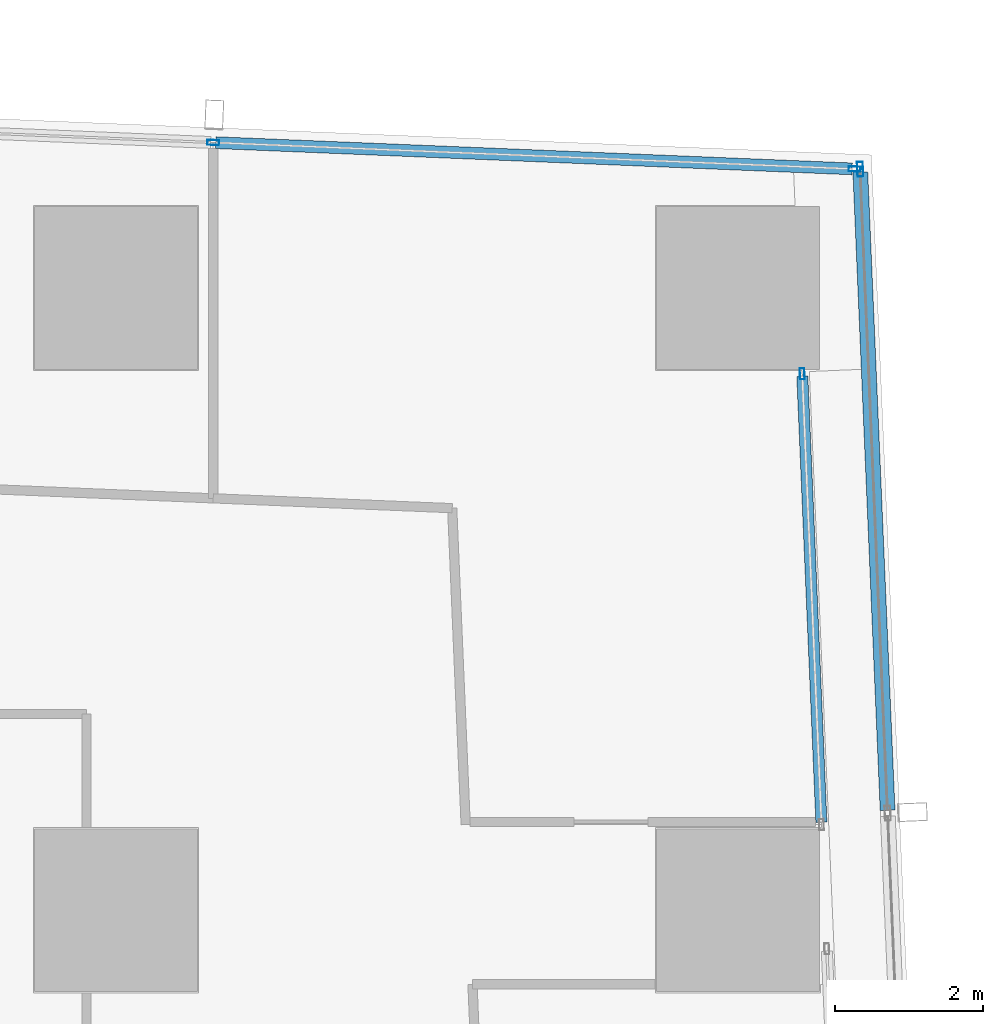
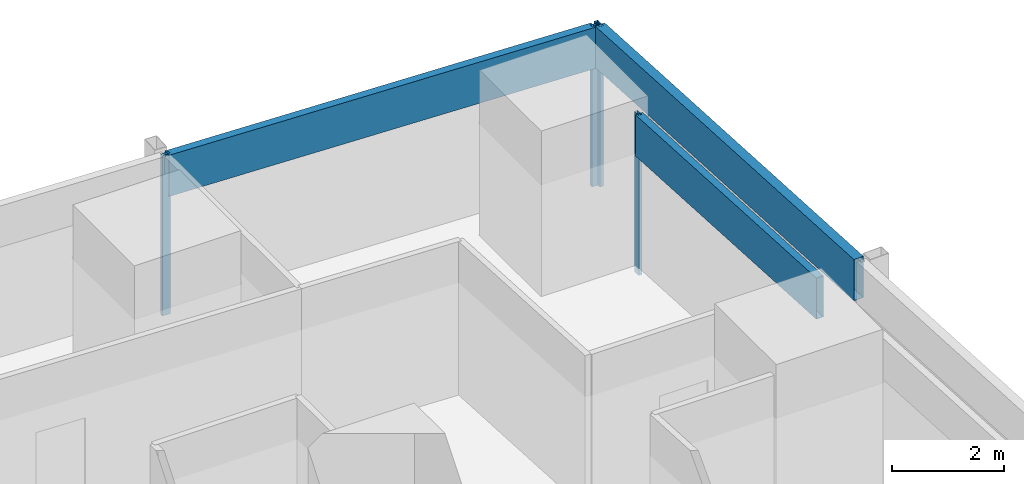
# One storey, part 21 of 42: 7 members, 3 elements without a shape of their own.
"""IFC4 building model written with IfcOpenShell, lengths in metres."""

from ifc_helpers import new_model, si_unit, direction, frame, origin, origin_2d, place, context, subcontext, project, spatial, hollow_rectangle, extrude, material, material_profile, profile_set, type_object, element, aggregate, save


model = new_model("IFC4")

# Units and contexts
model_context = context("Model", 3, precision=1e-05, world=origin(), true_north=direction((0.0, 1.0)))
body_context = subcontext(model_context, "Body", "Model", "MODEL_VIEW")
ifc_project = project(units=[si_unit("LENGTHUNIT", "METRE"), si_unit("AREAUNIT", "SQUARE_METRE"), si_unit("VOLUMEUNIT", "CUBIC_METRE"), si_unit("PLANEANGLEUNIT", "RADIAN"), si_unit("MASSUNIT", "GRAM", prefix="KILO")], contexts=[model_context])

# Site, building, storey
site_placement = place(None, origin())
site = spatial("IfcSite", under=ifc_project, at=site_placement, CompositionType="ELEMENT")
building_placement = place(site_placement, origin())
building = spatial("IfcBuilding", under=site, at=building_placement, Name="Rekha Terrace Tower", CompositionType="ELEMENT")
storey_placement = place(building_placement, frame((0.0, 0.0, 55.39990234375)))
storey = spatial("IfcBuildingStorey", under=building, at=storey_placement, Name="L13", CompositionType="ELEMENT", Elevation=55.39990234375)

# Curtain wall, members
ifc_material_1 = material(Name="Aluminium framing", Category="aluminium")
curtain_wall_type_1 = type_object("IfcCurtainWallType", Name="CW1 double skin inner glazing", PredefinedType="USERDEFINED", material=ifc_material_1)
curtain_wall_1_placement = place(storey_placement, origin())
curtain_wall_1 = element("IfcCurtainWall", 1, at=curtain_wall_1_placement, inside=storey, type_object=curtain_wall_type_1, Name="CW1 double skin inner glazing", ObjectType="DOUBLE SKIN INNER GLAZING", PredefinedType="USERDEFINED")
ifc_material_2 = material(Name="Aluminium mullion section", Category="aluminium")
ifc_material_profile_1 = material_profile(ifc_material_2, hollow_rectangle(XDim=0.06494140625, YDim=0.14990234375, WallThickness=0.00390625, at=origin_2d()), Name="AL RHS 65x150")
ifc_profile_set_1 = profile_set([ifc_material_profile_1], Name="Aluminium mullion section")
member_type_1 = type_object("IfcMemberType", Name="CW1 mullion RHS 65 x 150", PredefinedType="MULLION", material=ifc_profile_set_1)
member_1_placement = place(storey_placement, frame((68.0654296875, 57.6435546875, 0.0), z_axis=(0.0, 0.0, 1.0), x_axis=(-0.9990881069, -0.042696073026, 0.0)))
member_1 = element("IfcMember", 2, at=member_1_placement, type_object=member_type_1, Name="CW1 mullion 2", PredefinedType="MULLION", context=body_context, shape_type="SweptSolid", body=[
    extrude(hollow_rectangle(XDim=0.06494140625, YDim=0.14990234375, WallThickness=0.00390625, at=origin_2d()), origin(), (0.0, 0.0, 1.0), 3.5),
])
ifc_material_3 = material(Name="Insulated aluminium spandrel box", Category="aluminium")
ifc_material_profile_2 = material_profile(ifc_material_3, hollow_rectangle(XDim=0.14990234375, YDim=0.89990234375, WallThickness=0.0029296875, at=origin_2d()), Name="AL SPANDREL BOX 150x900")
ifc_profile_set_2 = profile_set([ifc_material_profile_2], Name="Insulated aluminium spandrel box")
member_type_2 = type_object("IfcMemberType", Name="CW1 spandrel transom 150 x 900", PredefinedType="USERDEFINED", material=ifc_profile_set_2)
member_2_placement = place(storey_placement, frame((68.32421875, 51.5888671875, 3.050048828125), z_axis=(-0.042730627731, 0.999086629604, 0.0), x_axis=(-0.999086629604, -0.042730627731, 0.0)))
member_2 = element("IfcMember", 3, at=member_2_placement, type_object=member_type_2, Name="CW1 spandrel transom 1", ObjectType="TRANSOM", PredefinedType="USERDEFINED", context=body_context, shape_type="SweptSolid", body=[
    extrude(hollow_rectangle(XDim=0.14990234375, YDim=0.89990234375, WallThickness=0.0029296875, at=origin_2d()), origin(), (0.0, 0.0, 1.0), 6.02783203125),
])
aggregate(curtain_wall_1, [member_1, member_2])

curtain_wall_type_2 = type_object("IfcCurtainWallType", Name="CW2 double skin outer glazing", PredefinedType="USERDEFINED", material=ifc_material_1)
curtain_wall_2_placement = place(storey_placement, origin())
curtain_wall_2 = element("IfcCurtainWall", 4, at=curtain_wall_2_placement, inside=storey, type_object=curtain_wall_type_2, Name="CW2 double skin outer glazing", ObjectType="DOUBLE SKIN OUTER GLAZING", PredefinedType="USERDEFINED")
ifc_material_profile_3 = material_profile(ifc_material_2, hollow_rectangle(XDim=0.080078125, YDim=0.199951171875, WallThickness=0.00390625, at=origin_2d()), Name="AL RHS 80x200")
ifc_profile_set_3 = profile_set([ifc_material_profile_3], Name="Aluminium mullion section")
member_type_3 = type_object("IfcMemberType", Name="CW2 mullion RHS 80 x 200", PredefinedType="MULLION", material=ifc_profile_set_3)
member_3_placement = place(storey_placement, frame((68.84814453125, 60.40625, 0.0), z_axis=(0.0, 0.0, 1.0), x_axis=(-0.999088106903, -0.042696072956, 0.0)))
member_3 = element("IfcMember", 5, at=member_3_placement, type_object=member_type_3, Name="CW2 mullion 5", PredefinedType="MULLION", context=body_context, shape_type="SweptSolid", body=[
    extrude(hollow_rectangle(XDim=0.080078125, YDim=0.199951171875, WallThickness=0.00390625, at=origin_2d()), origin(), (0.0, 0.0, 1.0), 3.5),
])
ifc_material_profile_4 = material_profile(ifc_material_3, hollow_rectangle(XDim=0.199951171875, YDim=0.89990234375, WallThickness=0.0029296875, at=origin_2d()), Name="AL SPANDREL BOX 200x900")
ifc_profile_set_4 = profile_set([ifc_material_profile_4], Name="Insulated aluminium spandrel box")
member_type_4 = type_object("IfcMemberType", Name="CW2 spandrel transom 200 x 900", PredefinedType="USERDEFINED", material=ifc_profile_set_4)
member_4_placement = place(storey_placement, frame((69.218017578125, 51.750244140625, 3.050048828125), z_axis=(-0.042691483974, 0.999088303002, 0.0), x_axis=(-0.999088303002, -0.042691483974, 0.0)))
member_4 = element("IfcMember", 6, at=member_4_placement, type_object=member_type_4, Name="CW2 spandrel transom 4", ObjectType="TRANSOM", PredefinedType="USERDEFINED", context=body_context, shape_type="SweptSolid", body=[
    extrude(hollow_rectangle(XDim=0.199951171875, YDim=0.89990234375, WallThickness=0.0029296875, at=origin_2d()), origin(), (0.0, 0.0, 1.0), 8.623779296875),
])
aggregate(curtain_wall_2, [member_3, member_4])

curtain_wall_type_3 = type_object("IfcCurtainWallType", Name="CW3 north unitised glazing", PredefinedType="USERDEFINED", material=ifc_material_1)
curtain_wall_3_placement = place(storey_placement, origin())
curtain_wall_3 = element("IfcCurtainWall", 7, at=curtain_wall_3_placement, inside=storey, type_object=curtain_wall_type_3, Name="CW3 unitised curtain wall", ObjectType="UNITISED CURTAIN WALL", PredefinedType="USERDEFINED")
ifc_material_profile_5 = material_profile(ifc_material_2, hollow_rectangle(XDim=0.070068359375, YDim=0.159912109375, WallThickness=0.00390625, at=origin_2d()), Name="AL RHS 70x160")
ifc_profile_set_5 = profile_set([ifc_material_profile_5], Name="Aluminium mullion section")
member_type_5 = type_object("IfcMemberType", Name="CW3 mullion RHS 70 x 160", PredefinedType="MULLION", material=ifc_profile_set_5)
member_5_placement = place(storey_placement, frame((68.77294921875, 60.4091796875, 0.0), z_axis=(0.0, 0.0, 1.0), x_axis=(-0.041173846041, -0.999151997647, 0.0)))
member_5 = element("IfcMember", 8, at=member_5_placement, type_object=member_type_5, Name="CW3 mullion 1", PredefinedType="MULLION", context=body_context, shape_type="SweptSolid", body=[
    extrude(hollow_rectangle(XDim=0.070068359375, YDim=0.159912109375, WallThickness=0.00390625, at=origin_2d()), origin(), (0.0, 0.0, 1.0), 3.5),
])
member_6_placement = place(storey_placement, frame((60.111572265625, 60.76611328125, 0.0), z_axis=(0.0, 0.0, 1.0), x_axis=(-0.041173846041, -0.999151997647, 0.0)))
member_6 = element("IfcMember", 9, at=member_6_placement, type_object=member_type_5, Name="CW3 mullion 2", PredefinedType="MULLION", context=body_context, shape_type="SweptSolid", body=[
    extrude(hollow_rectangle(XDim=0.070068359375, YDim=0.159912109375, WallThickness=0.00390625, at=origin_2d()), origin(), (0.0, 0.0, 1.0), 3.5),
])
ifc_material_profile_6 = material_profile(ifc_material_3, hollow_rectangle(XDim=0.159912109375, YDim=0.89990234375, WallThickness=0.0029296875, at=origin_2d()), Name="AL SPANDREL BOX 160x900")
ifc_profile_set_6 = profile_set([ifc_material_profile_6], Name="Insulated aluminium spandrel box")
member_type_6 = type_object("IfcMemberType", Name="CW3 spandrel transom 160 x 900", PredefinedType="USERDEFINED", material=ifc_profile_set_6)
member_7_placement = place(storey_placement, frame((68.738037109375, 60.41064453125, 3.050048828125), z_axis=(-0.99915220621, 0.041168784604, 0.0), x_axis=(-0.041168784604, -0.99915220621, 0.0)))
member_7 = element("IfcMember", 10, at=member_7_placement, type_object=member_type_6, Name="CW3 spandrel transom 1", ObjectType="TRANSOM", PredefinedType="USERDEFINED", context=body_context, shape_type="SweptSolid", body=[
    extrude(hollow_rectangle(XDim=0.159912109375, YDim=0.89990234375, WallThickness=0.0029296875, at=origin_2d()), origin(), (0.0, 0.0, 1.0), 8.598876953125),
])
aggregate(curtain_wall_3, [member_5, member_6, member_7])

save(model, "model.ifc")
